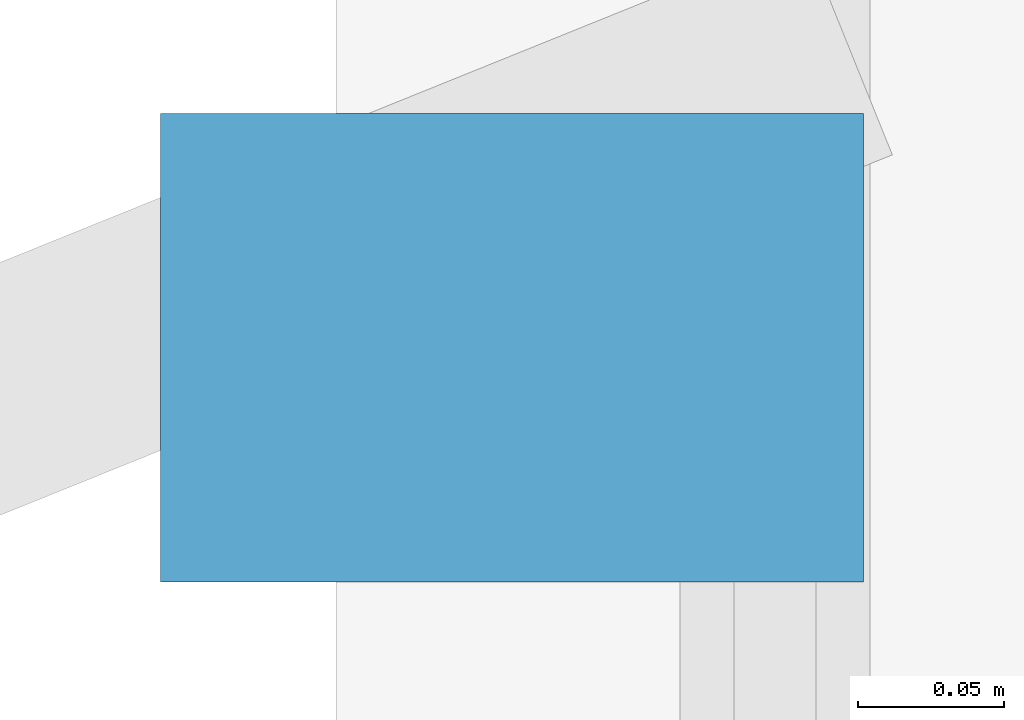
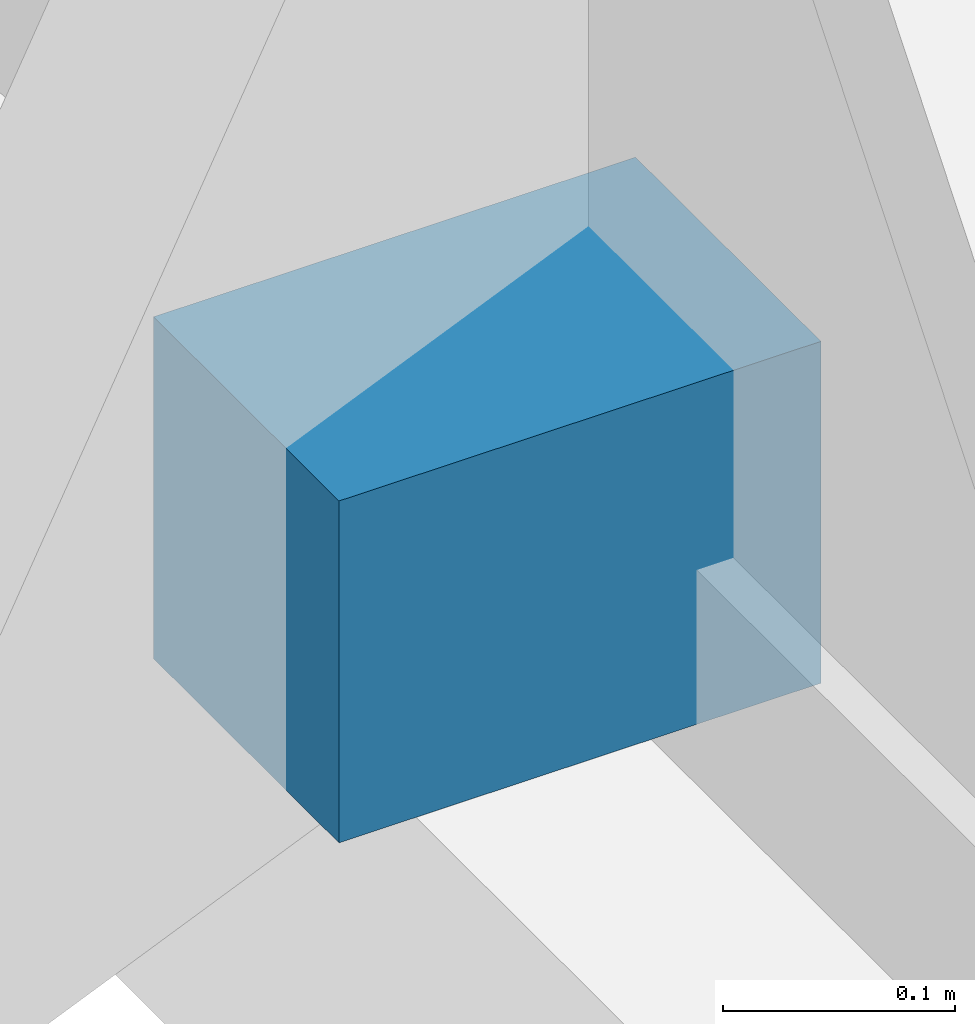
# One storey, part 27 of 29: 1 discrete accessory.
"""IFC4 building model written with IfcOpenShell, lengths in metres."""

from ifc_helpers import new_model, si_unit, direction, frame, origin, origin_2d, place, context, subcontext, project, spatial, rectangle, extrude, material, type_object, element, save


model = new_model("IFC4")

# Units and contexts
model_context = context("Model", 3, precision=1e-05, world=origin(), true_north=direction((0.0, 1.0)))
body_context = subcontext(model_context, "Body", "Model", "MODEL_VIEW")
ifc_project = project(units=[si_unit("LENGTHUNIT", "METRE"), si_unit("AREAUNIT", "SQUARE_METRE"), si_unit("VOLUMEUNIT", "CUBIC_METRE"), si_unit("PLANEANGLEUNIT", "RADIAN"), si_unit("MASSUNIT", "GRAM", prefix="KILO")], contexts=[model_context])

# Site, building, storey
site_placement = place(None, origin())
site = spatial("IfcSite", under=ifc_project, at=site_placement, CompositionType="ELEMENT")
building_placement = place(site_placement, origin())
building = spatial("IfcBuilding", under=site, at=building_placement, Name="Calvorn Quay Hotel", CompositionType="ELEMENT")
storey_placement = place(building_placement, frame((0.0, 0.0, 81.199951171875)))
storey = spatial("IfcBuildingStorey", under=building, at=storey_placement, Name="L19", CompositionType="ELEMENT", Elevation=81.199951171875)

# Discrete accessory
ifc_material = material(Name="Steel Q355B", Category="steel")
discrete_accessory_type = type_object("IfcDiscreteAccessoryType", Name="ACC-FIN-BRACKET", PredefinedType="BRACKET", material=ifc_material)
discrete_accessory_placement = place(storey_placement, frame((0.06005859375, 37.25, 0.0302734375), z_axis=(0.0, 0.0, 1.0), x_axis=(1.0, 0.0, 0.0)))
element("IfcDiscreteAccessory", 1, at=discrete_accessory_placement, inside=storey, type_object=discrete_accessory_type, Name="Fin Anchor Bracket L19-W03", PredefinedType="BRACKET", context=body_context, shape_type="SweptSolid", body=[
    extrude(rectangle(XDim=0.239990234375, YDim=0.159912109375, at=origin_2d()), origin(), (0.0, 0.0, 1.0), 0.179931640625),
])

save(model, "model.ifc")
